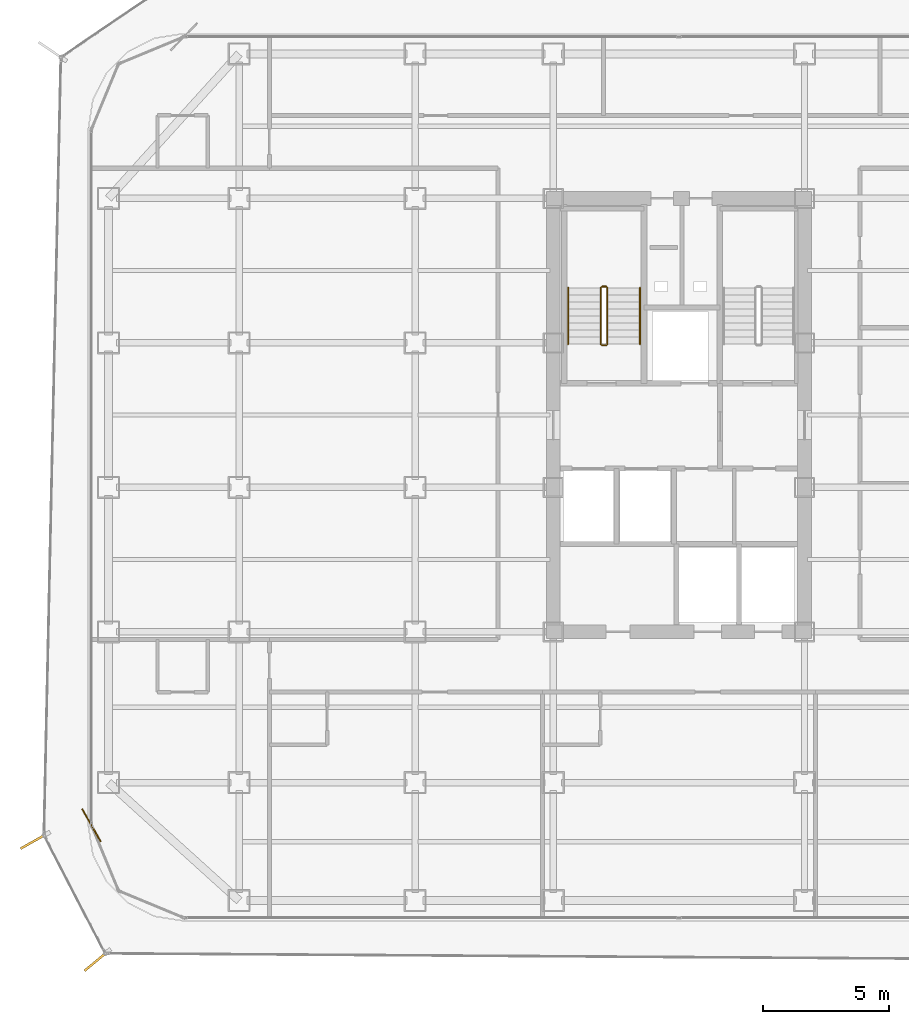
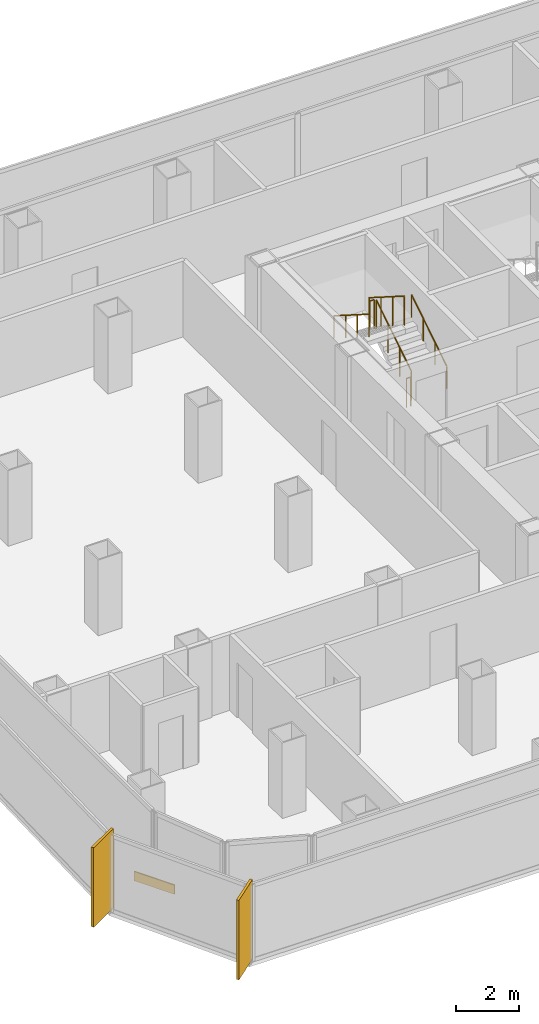
# One storey, part 19 of 21: 6 railings, 2 shading devices, 1 covering.
"""IFC4 building model written with IfcOpenShell, lengths in metres."""

from ifc_helpers import new_model, si_unit, direction, frame, origin, origin_2d, place, context, subcontext, project, spatial, rectangle, circle, extrude, source, transform, mapped, material, layer, layer_set, type_object, element, save


model = new_model("IFC4")

# Units and contexts
model_context = context("Model", 3, precision=1e-05, world=origin(), true_north=direction((0.0, 1.0)))
body_context = subcontext(model_context, "Body", "Model", "MODEL_VIEW")
ifc_project = project(units=[si_unit("LENGTHUNIT", "METRE"), si_unit("AREAUNIT", "SQUARE_METRE"), si_unit("VOLUMEUNIT", "CUBIC_METRE"), si_unit("PLANEANGLEUNIT", "RADIAN"), si_unit("MASSUNIT", "GRAM", prefix="KILO")], contexts=[model_context])

# Site, building, storey
site_placement = place(None, origin())
site = spatial("IfcSite", under=ifc_project, at=site_placement, CompositionType="ELEMENT")
building_placement = place(site_placement, origin())
building = spatial("IfcBuilding", under=site, at=building_placement, Name="Kolveth Station Tower", CompositionType="ELEMENT")
storey_placement = place(building_placement, frame((0.0, 0.0, 121.5)))
storey = spatial("IfcBuildingStorey", under=building, at=storey_placement, Name="L33", CompositionType="ELEMENT", Elevation=121.5)

# Railings
ifc_material_1 = material(Name="Painted Steel S355 balustrade", Category="steel")
railing_type_1 = type_object("IfcRailingType", Name="Guard_GR2", PredefinedType="BALUSTRADE", material=ifc_material_1)
railing_1_placement = place(storey_placement, frame((20.64990234375, 22.949951171875, 0.177734375)))
element("IfcRailing", 1, at=railing_1_placement, inside=storey, type_object=railing_type_1, Name="L33 ST1 stair guard 1", PredefinedType="BALUSTRADE", context=body_context, shape_type="SweptSolid", body=[
    extrude(circle(Radius=0.02392578125, at=origin_2d()), frame((0.0, 0.0, 1.1259765625), z_axis=(0.0, 0.84418770128, 0.536047689118), x_axis=(-1.0, 0.0, 0.0)), (0.0, 0.0, 1.0), 2.6533203125),
    extrude(circle(Radius=0.02099609375, at=origin_2d()), origin(), (0.0, 0.0, 1.0), 1.101806640625),
    extrude(circle(Radius=0.02099609375, at=origin_2d()), frame((0.0, 0.74658203125, 0.47412109375)), (0.0, 0.0, 1.0), 1.101806640625),
    extrude(circle(Radius=0.02099609375, at=origin_2d()), frame((0.0, 1.493408203125, 0.9482421875)), (0.0, 0.0, 1.0), 1.101806640625),
    extrude(circle(Radius=0.02099609375, at=origin_2d()), frame((0.0, 2.239990234375, 1.42236328125)), (0.0, 0.0, 1.0), 1.101806640625),
])
railing_2_placement = place(storey_placement, frame((20.60009765625, 25.239990234375, 1.60009765625)))
element("IfcRailing", 2, at=railing_2_placement, inside=storey, type_object=railing_type_1, Name="L33 ST1 stair guard 2", PredefinedType="BALUSTRADE", context=body_context, shape_type="SweptSolid", body=[
    extrude(circle(Radius=0.02392578125, at=origin_2d()), frame((0.0, 0.0, 1.1259765625), z_axis=(-1.0, 0.0, 0.0), x_axis=(0.0, -1.0, 0.0)), (0.0, 0.0, 1.0), 0.16015625),
    extrude(circle(Radius=0.02099609375, at=origin_2d()), origin(), (0.0, 0.0, 1.0), 1.101806640625),
    extrude(circle(Radius=0.02099609375, at=origin_2d()), frame((-0.16015625, 0.0, 0.0)), (0.0, 0.0, 1.0), 1.101806640625),
])
railing_3_placement = place(storey_placement, frame((20.389892578125, 25.18994140625, 1.77783203125)))
element("IfcRailing", 3, at=railing_3_placement, inside=storey, type_object=railing_type_1, Name="L33 ST1 stair guard 3", PredefinedType="BALUSTRADE", context=body_context, shape_type="SweptSolid", body=[
    extrude(circle(Radius=0.02392578125, at=origin_2d()), frame((0.0, 0.0, 1.1259765625), z_axis=(0.0, -0.8442293374, 0.53598211339), x_axis=(1.0, 0.0, 0.0)), (0.0, 0.0, 1.0), 2.6533203125),
    extrude(circle(Radius=0.02099609375, at=origin_2d()), origin(), (0.0, 0.0, 1.0), 1.101806640625),
    extrude(circle(Radius=0.02099609375, at=origin_2d()), frame((0.0, -0.74658203125, 0.47412109375)), (0.0, 0.0, 1.0), 1.101806640625),
    extrude(circle(Radius=0.02099609375, at=origin_2d()), frame((0.0, -1.493408203125, 0.947998046875)), (0.0, 0.0, 1.0), 1.101806640625),
    extrude(circle(Radius=0.02099609375, at=origin_2d()), frame((0.0, -2.239990234375, 1.422119140625)), (0.0, 0.0, 1.0), 1.101806640625),
])
railing_4_placement = place(storey_placement, frame((20.60009765625, 22.89990234375, 0.0)))
element("IfcRailing", 4, at=railing_4_placement, inside=storey, type_object=railing_type_1, Name="L33 ST1 stair guard 4", PredefinedType="BALUSTRADE", context=body_context, shape_type="SweptSolid", body=[
    extrude(circle(Radius=0.02392578125, at=origin_2d()), frame((0.0, 0.0, 1.1259765625), z_axis=(-1.0, 0.0, 0.0), x_axis=(0.0, -1.0, 0.0)), (0.0, 0.0, 1.0), 0.16015625),
    extrude(circle(Radius=0.02099609375, at=origin_2d()), origin(), (0.0, 0.0, 1.0), 1.101806640625),
    extrude(circle(Radius=0.02099609375, at=origin_2d()), frame((-0.16015625, 0.0, 0.0)), (0.0, 0.0, 1.0), 1.101806640625),
])
ifc_material_2 = material(Name="Brushed stainless steel", Category="steel")
railing_type_2 = type_object("IfcRailingType", Name="Handrail_HR1", PredefinedType="HANDRAIL", material=ifc_material_2)
railing_5_placement = place(storey_placement, frame((21.949951171875, 22.949951171875, 0.177734375)))
element("IfcRailing", 5, at=railing_5_placement, inside=storey, type_object=railing_type_2, Name="L33 ST1 stair handrail 1", PredefinedType="HANDRAIL", context=body_context, shape_type="SweptSolid", body=[
    extrude(circle(Radius=0.02392578125, at=origin_2d()), frame((0.0, 0.0, 0.8759765625), z_axis=(0.0, 0.84418770128, 0.536047689118), x_axis=(-1.0, 0.0, 0.0)), (0.0, 0.0, 1.0), 2.6533203125),
    extrude(circle(Radius=0.02099609375, at=origin_2d()), origin(), (0.0, 0.0, 1.0), 0.851806640625),
    extrude(circle(Radius=0.02099609375, at=origin_2d()), frame((0.0, 0.74658203125, 0.47412109375)), (0.0, 0.0, 1.0), 0.851806640625),
    extrude(circle(Radius=0.02099609375, at=origin_2d()), frame((0.0, 1.493408203125, 0.9482421875)), (0.0, 0.0, 1.0), 0.851806640625),
    extrude(circle(Radius=0.02099609375, at=origin_2d()), frame((0.0, 2.239990234375, 1.42236328125)), (0.0, 0.0, 1.0), 0.851806640625),
])
railing_6_placement = place(storey_placement, frame((19.090087890625, 25.18994140625, 1.77783203125)))
element("IfcRailing", 6, at=railing_6_placement, inside=storey, type_object=railing_type_2, Name="L33 ST1 stair handrail 2", PredefinedType="HANDRAIL", context=body_context, shape_type="SweptSolid", body=[
    extrude(circle(Radius=0.02392578125, at=origin_2d()), frame((0.0, 0.0, 0.8759765625), z_axis=(0.0, -0.8442293374, 0.53598211339), x_axis=(1.0, 0.0, 0.0)), (0.0, 0.0, 1.0), 2.6533203125),
    extrude(circle(Radius=0.02099609375, at=origin_2d()), origin(), (0.0, 0.0, 1.0), 0.851806640625),
    extrude(circle(Radius=0.02099609375, at=origin_2d()), frame((0.0, -0.74658203125, 0.47412109375)), (0.0, 0.0, 1.0), 0.851806640625),
    extrude(circle(Radius=0.02099609375, at=origin_2d()), frame((0.0, -1.493408203125, 0.947998046875)), (0.0, 0.0, 1.0), 0.851806640625),
    extrude(circle(Radius=0.02099609375, at=origin_2d()), frame((0.0, -2.239990234375, 1.422119140625)), (0.0, 0.0, 1.0), 0.851806640625),
])

# Shading devices
ifc_material_3 = material(Name="Black anodized aluminium 6063-T6", Category="aluminium")
shading_device_type = type_object("IfcShadingDeviceType", Name="FIN_VF1", PredefinedType="USERDEFINED", material=ifc_material_3)
shared_shape_1 = source(origin(), body_context, "Body", "SweptSolid", [
    extrude(rectangle(XDim=1.25, YDim=0.090087890625, at=origin_2d()), origin(), (0.0, 0.0, 1.0), 3.10009765625),
])
for number, where, z_axis, x_axis, name in (
    (7, (-2.156005859375, 3.177001953125, 0.0), (0.0, 0.0, 1.0), (-0.870956655104, -0.491359852787, 0.0), "L33 Dark-Aluminium Solar Fin 7"),
    (8, (0.326904296875, -1.591064453125, 0.0), (0.0, 0.0, 1.0), (-0.769399555047, -0.638767817516, 0.0), "L33 Dark-Aluminium Solar Fin 8"),
):
    element("IfcShadingDevice", number, at=place(storey_placement, frame(where, z_axis=z_axis, x_axis=x_axis)), inside=storey, type_object=shading_device_type, Name=name, ObjectType="FIN", PredefinedType="USERDEFINED", context=body_context, shape_type="MappedRepresentation", body=[
        mapped(shared_shape_1, transform((0.0, 0.0, 0.0), x_axis=(1.0, 0.0, 0.0), y_axis=(0.0, 1.0, 0.0), z_axis=(0.0, 0.0, 1.0), scale=1.0)),
    ])

# Covering
ifc_material_4 = material(Name="Charcoal anodized aluminium spandrel cladding", Category="aluminium")
ifc_layer = layer(ifc_material_4, 0.044921875)
ifc_layer_set = layer_set([ifc_layer], Name="Charcoal anodized aluminium spandrel cladding")
covering_type = type_object("IfcCoveringType", Name="Clad_CD1", PredefinedType="CLADDING", material=ifc_layer_set)
shared_shape_2 = source(origin(), body_context, "Body", "SweptSolid", [
    extrude(rectangle(XDim=1.5, YDim=0.044921875, at=origin_2d()), origin(), (0.0, 0.0, 1.0), 0.360107421875),
])
covering_placement = place(storey_placement, frame((0.1201171875, 3.800048828125, 0.0), z_axis=(0.0, 0.0, 1.0), x_axis=(0.491359852787, -0.870956655104, 0.0)))
element("IfcCovering", 9, at=covering_placement, inside=storey, type_object=covering_type, Name="L33 Spandrel Edge Cladding 7", PredefinedType="CLADDING", context=body_context, shape_type="MappedRepresentation", body=[
    mapped(shared_shape_2, transform((0.0, 0.0, 0.0), x_axis=(1.0, 0.0, 0.0), y_axis=(0.0, 1.0, 0.0), z_axis=(0.0, 0.0, 1.0), scale=1.0)),
])

save(model, "model.ifc")
